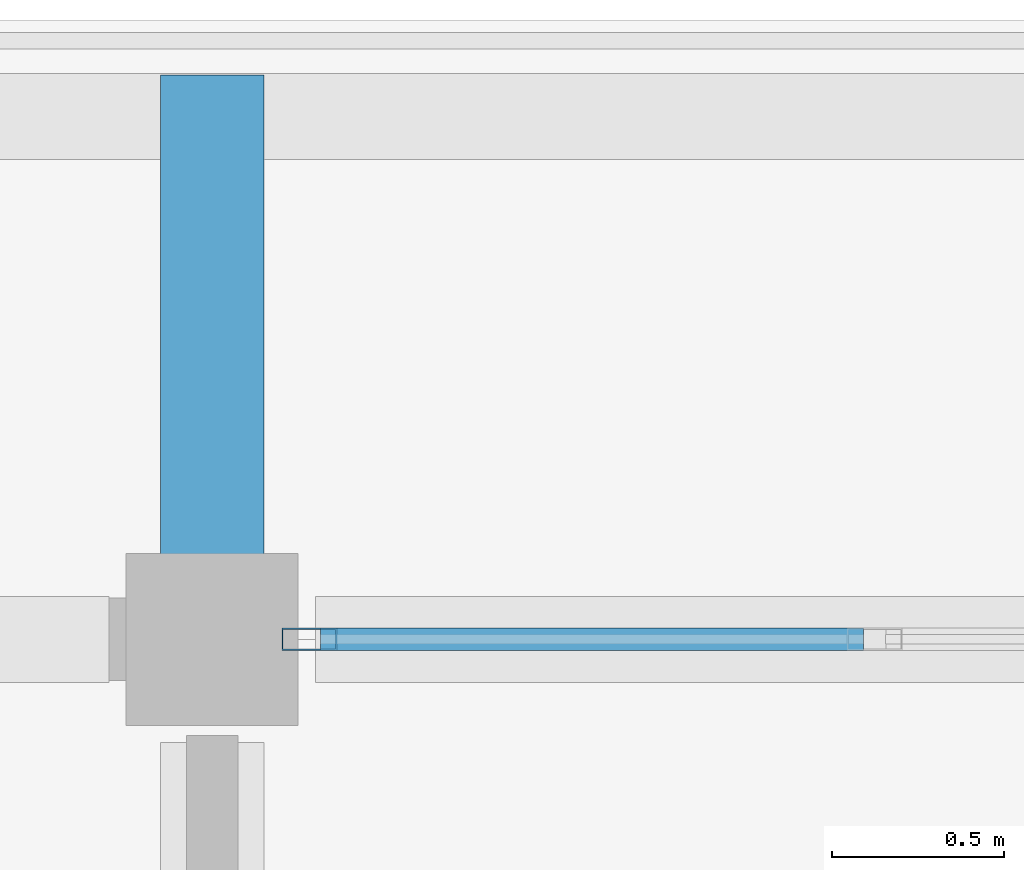
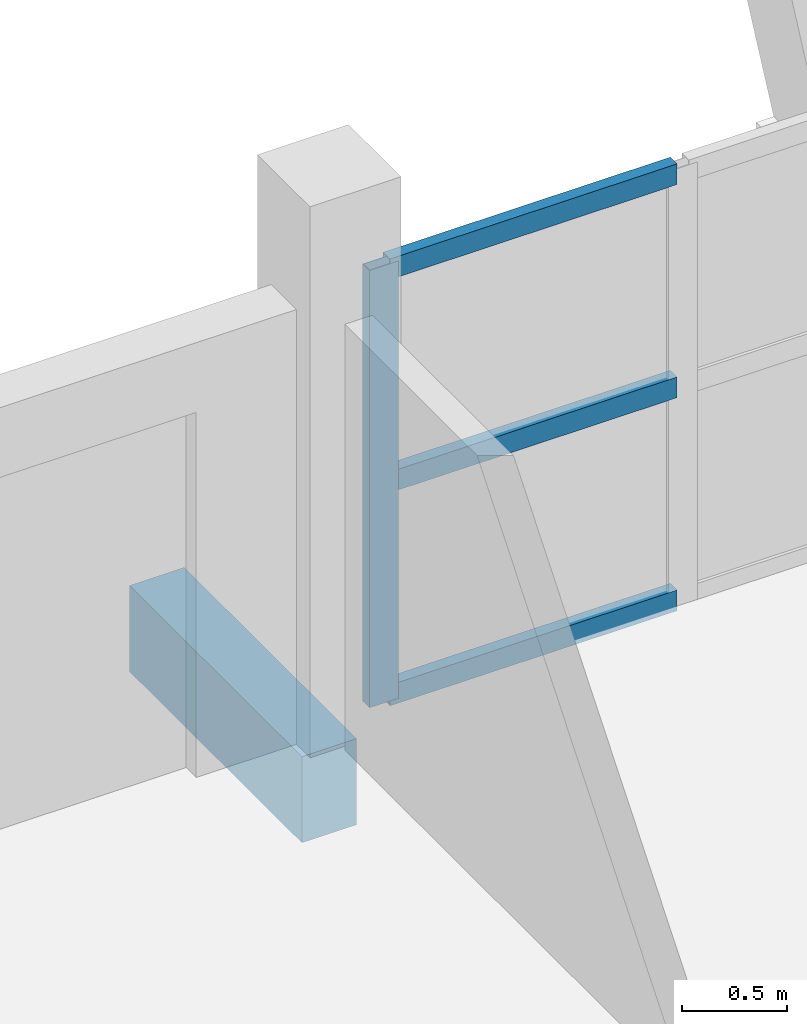
# One storey, part 7 of 45: 4 members, 1 beam, 1 element without a shape of its own.
"""IFC4 building model written with IfcOpenShell, lengths in metres."""

from ifc_helpers import new_model, si_unit, direction, frame, origin, origin_2d, place, context, subcontext, project, spatial, rectangle, hollow_rectangle, extrude, material, material_profile, profile_set, type_object, element, aggregate, save


model = new_model("IFC4")

# Units and contexts
model_context = context("Model", 3, precision=1e-05, world=origin(), true_north=direction((0.0, 1.0)))
body_context = subcontext(model_context, "Body", "Model", "MODEL_VIEW")
ifc_project = project(units=[si_unit("LENGTHUNIT", "METRE"), si_unit("AREAUNIT", "SQUARE_METRE"), si_unit("VOLUMEUNIT", "CUBIC_METRE"), si_unit("PLANEANGLEUNIT", "RADIAN"), si_unit("MASSUNIT", "GRAM", prefix="KILO")], contexts=[model_context])

# Site, building, storey
site_placement = place(None, origin())
site = spatial("IfcSite", under=ifc_project, at=site_placement, CompositionType="ELEMENT")
building_placement = place(site_placement, origin())
building = spatial("IfcBuilding", under=site, at=building_placement, Name="Suanplinth Sawtooth Commons", CompositionType="ELEMENT")
storey_placement = place(building_placement, frame((0.0, 0.0, 38.0)))
storey = spatial("IfcBuildingStorey", under=building, at=storey_placement, Name="L11", CompositionType="ELEMENT", Elevation=38.0)

# Beam
ifc_material_1 = material(Name="Precast concrete C40/50", Category="concrete")
ifc_material_profile_1 = material_profile(ifc_material_1, rectangle(XDim=0.300048828125, YDim=0.5, at=origin_2d()), Name="PC-BM 300x500")
ifc_profile_set_1 = profile_set([ifc_material_profile_1], Name="Precast concrete C40/50")
beam_type = type_object("IfcBeamType", Name="B-07", PredefinedType="BEAM", material=ifc_profile_set_1)
beam_placement = place(storey_placement, frame((36.0, 122.39990234375, -0.429931640625), z_axis=(0.0, 1.0, 0.0), x_axis=(-1.0, 0.0, 0.0)))
element("IfcBeam", 1, at=beam_placement, inside=storey, type_object=beam_type, Name="Balcony Outrigger L11-A-N-5", PredefinedType="BEAM", context=body_context, shape_type="SweptSolid", body=[
    extrude(rectangle(XDim=0.300048828125, YDim=0.5, at=origin_2d()), origin(), (0.0, 0.0, 1.0), 1.64013671875),
])

# Curtain wall, members
ifc_material_2 = material(Name="Anodized aluminium and low-E glazing", Category="aluminium")
curtain_wall_type = type_object("IfcCurtainWallType", Name="CW-06", PredefinedType="USERDEFINED", material=ifc_material_2)
curtain_wall_placement = place(storey_placement, origin())
curtain_wall = element("IfcCurtainWall", 2, at=curtain_wall_placement, inside=storey, type_object=curtain_wall_type, Name="Curtain Wall CW-L11-A-LOUNGE-2", ObjectType="CURTAIN WALL", PredefinedType="USERDEFINED")
ifc_material_3 = material(Name="Anodized aluminium 6063-T6", Category="aluminium")
ifc_material_profile_2 = material_profile(ifc_material_3, hollow_rectangle(XDim=0.06494140625, YDim=0.159912109375, WallThickness=0.00390625, at=origin_2d()), Name="ALU-MUL 65x160")
ifc_profile_set_2 = profile_set([ifc_material_profile_2], Name="Anodized aluminium 6063-T6")
member_type_1 = type_object("IfcMemberType", Name="M-13", PredefinedType="MULLION", material=ifc_profile_set_2)
member_1_placement = place(storey_placement, frame((36.282470703125, 122.39990234375, 0.0), z_axis=(0.0, 0.0, 1.0), x_axis=(0.0, 1.0, 0.0)))
member_1 = element("IfcMember", 3, at=member_1_placement, type_object=member_type_1, Name="CW-06 mullion 1", PredefinedType="MULLION", context=body_context, shape_type="SweptSolid", body=[
    extrude(hollow_rectangle(XDim=0.06494140625, YDim=0.159912109375, WallThickness=0.00390625, at=origin_2d()), origin(), (0.0, 0.0, 1.0), 2.5400390625),
])
ifc_material_profile_3 = material_profile(ifc_material_3, hollow_rectangle(XDim=0.06494140625, YDim=0.1201171875, WallThickness=0.00390625, at=origin_2d()), Name="ALU-TRN 65x120")
ifc_profile_set_3 = profile_set([ifc_material_profile_3], Name="Anodized aluminium 6063-T6")
member_type_2 = type_object("IfcMemberType", Name="M-15", PredefinedType="USERDEFINED", material=ifc_profile_set_3)
member_2_placement = place(storey_placement, frame((36.31494140625, 122.39990234375, 0.032470703125), z_axis=(1.0, 0.0, 0.0), x_axis=(0.0, 1.0, 0.0)))
member_2 = element("IfcMember", 4, at=member_2_placement, type_object=member_type_2, Name="CW-06 transom 1.1", ObjectType="TRANSOM", PredefinedType="USERDEFINED", context=body_context, shape_type="SweptSolid", body=[
    extrude(hollow_rectangle(XDim=0.06494140625, YDim=0.1201171875, WallThickness=0.00390625, at=origin_2d()), origin(), (0.0, 0.0, 1.0), 1.57763671875),
])
member_3_placement = place(storey_placement, frame((36.31494140625, 122.39990234375, 1.27001953125), z_axis=(1.0, 0.0, 0.0), x_axis=(0.0, 1.0, 0.0)))
member_3 = element("IfcMember", 5, at=member_3_placement, type_object=member_type_2, Name="CW-06 transom 1.2", ObjectType="TRANSOM", PredefinedType="USERDEFINED", context=body_context, shape_type="SweptSolid", body=[
    extrude(hollow_rectangle(XDim=0.06494140625, YDim=0.1201171875, WallThickness=0.00390625, at=origin_2d()), origin(), (0.0, 0.0, 1.0), 1.57763671875),
])
member_4_placement = place(storey_placement, frame((36.31494140625, 122.39990234375, 2.507568359375), z_axis=(1.0, 0.0, 0.0), x_axis=(0.0, 1.0, 0.0)))
member_4 = element("IfcMember", 6, at=member_4_placement, type_object=member_type_2, Name="CW-06 transom 1.3", ObjectType="TRANSOM", PredefinedType="USERDEFINED", context=body_context, shape_type="SweptSolid", body=[
    extrude(hollow_rectangle(XDim=0.06494140625, YDim=0.1201171875, WallThickness=0.00390625, at=origin_2d()), origin(), (0.0, 0.0, 1.0), 1.57763671875),
])
aggregate(curtain_wall, [member_1, member_2, member_3, member_4])

save(model, "model.ifc")
